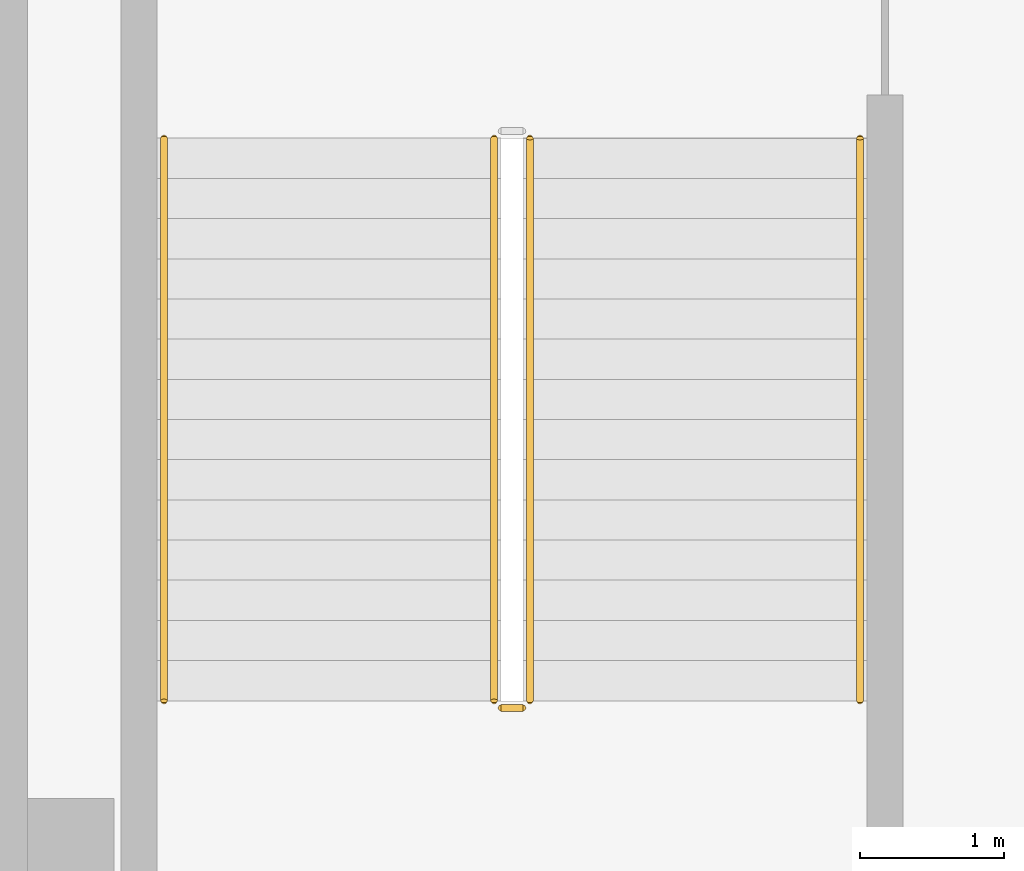
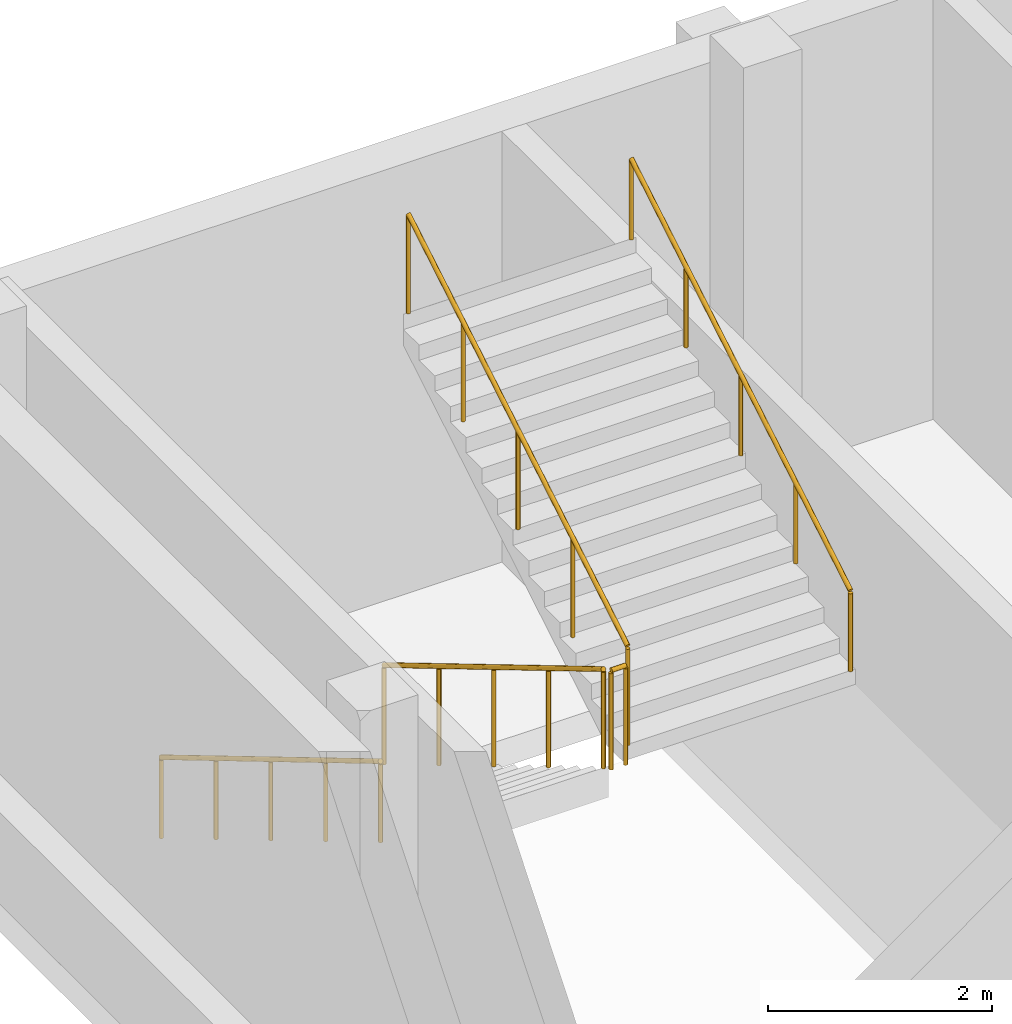
# One storey, part 29 of 32: 5 railings.
"""IFC4 building model written with IfcOpenShell, lengths in metres."""

import ifcopenshell
import ifcopenshell.guid

model = None  # the IFC model being written
_history = None  # IfcOwnerHistory: only IFC2X3 demands one
_inside = {}  # id of a spatial element -> (the spatial element, [elements in it])
_under = {}  # id of a project, library or spatial element -> (it, [spatial elements below it])
_declared = {}  # id of a project -> (the project, [libraries it declares])
_typed = {}  # id of a type object -> (the type object, [elements of that type])
_made_of = {}  # id of a material, layer set ... -> (it, [elements and type objects made of it])


def new_model(schema):
    """Start an empty IFC model of exactly this schema.

    Asked for "IFC4X3", IfcOpenShell would pick the latest addendum, in which some entities
    have other attributes; the version numbers below select the first issue.
    IFC2X3 requires an IfcOwnerHistory on every rooted entity: one is made here for all.
    """
    global model, _history
    if schema == "IFC4X3":
        model = ifcopenshell.file(schema_version=(4, 3, 0, 0))
    else:
        model = ifcopenshell.file(schema=schema)
    _inside.clear()
    _under.clear()
    _declared.clear()
    _typed.clear()
    _made_of.clear()
    _history = None
    if model.schema == "IFC2X3":
        org = make("IfcOrganization", Name="unknown")
        user = make(
            "IfcPersonAndOrganization",
            ThePerson=make("IfcPerson", FamilyName="unknown"),
            TheOrganization=org,
        )
        app = make(
            "IfcApplication",
            ApplicationDeveloper=org,
            Version="unknown",
            ApplicationFullName="unknown",
            ApplicationIdentifier="unknown",
        )
        _history = make(
            "IfcOwnerHistory",
            OwningUser=user,
            OwningApplication=app,
            ChangeAction="ADDED",
            CreationDate=0,
        )
    return model


def make(cls, **values):
    """One entity of the class cls with the attributes given. An attribute that is None is left unset."""
    return model.create_entity(
        cls, **{name: value for name, value in values.items() if value is not None}
    )


def rooted(cls, **values):
    """An entity with a GlobalId (a new one), such as an element, a storey or a relation."""
    return make(cls, GlobalId=ifcopenshell.guid.new(), OwnerHistory=_history, **values)


def si_unit(unit_type, name, prefix=None):
    """IfcSIUnit, for example si_unit("LENGTHUNIT", "METRE", prefix="MILLI")."""
    return make("IfcSIUnit", UnitType=unit_type, Prefix=prefix, Name=name)


def assignment(units):
    """IfcUnitAssignment: the units of a project."""
    return None if units is None else make("IfcUnitAssignment", Units=units)


def point(xyz):
    """IfcCartesianPoint."""
    return None if xyz is None else make("IfcCartesianPoint", Coordinates=xyz)


def direction(xyz):
    """IfcDirection."""
    return None if xyz is None else make("IfcDirection", DirectionRatios=xyz)


def frame(location, z_axis=None, x_axis=None):
    """IfcAxis2Placement3D, a coordinate frame: its origin and axes. An axis left out is left unset."""
    return make(
        "IfcAxis2Placement3D",
        Location=point(location),
        Axis=direction(z_axis),
        RefDirection=direction(x_axis),
    )


def frame_2d(location, x_axis=None):
    """IfcAxis2Placement2D, a coordinate frame in the plane: its origin and x axis."""
    return make(
        "IfcAxis2Placement2D", Location=point(location), RefDirection=direction(x_axis)
    )


def origin():
    """The frame at (0, 0, 0) with its axes left unset."""
    return frame((0.0, 0.0, 0.0))


def origin_2d():
    """The frame at (0, 0) in the plane with its x axis left unset."""
    return frame_2d((0.0, 0.0))


def place(relative_to, where):
    """IfcLocalPlacement: puts the frame where relative to a parent placement (None: the world)."""
    return make(
        "IfcLocalPlacement", PlacementRelTo=relative_to, RelativePlacement=where
    )


def context(
    kind, dimensions, precision=None, world=None, true_north=None, identifier=None
):
    """IfcGeometricRepresentationContext, for example the 3D "Model" context."""
    return make(
        "IfcGeometricRepresentationContext",
        ContextIdentifier=identifier,
        ContextType=kind,
        CoordinateSpaceDimension=dimensions,
        Precision=precision,
        WorldCoordinateSystem=world,
        TrueNorth=true_north,
    )


def subcontext(parent, identifier, kind, view, scale=None):
    """IfcGeometricRepresentationSubContext, for example "Body" below "Model"."""
    return make(
        "IfcGeometricRepresentationSubContext",
        ContextIdentifier=identifier,
        ContextType=kind,
        ParentContext=parent,
        TargetScale=scale,
        TargetView=view,
    )


def project(units=None, contexts=None):
    """IfcProject with its units and contexts."""
    return rooted(
        "IfcProject",
        Name="project",
        RepresentationContexts=contexts,
        UnitsInContext=assignment(units),
    )


def spatial(cls, under=None, at=None, **own):
    """A site, building, storey or space (cls), placed at a placement, below another one or the project."""
    s = rooted(cls, ObjectPlacement=at, **own)
    if under is not None:
        _under.setdefault(under.id(), (under, []))[1].append(s)
    return s


def profile(cls, at=None, kind="AREA", **sizes):
    """A parametric profile (cls). Its sizes go by their IFC names, for example OverallWidth=200.0."""
    return make(cls, ProfileType=kind, Position=at, **sizes)


def circle(**sizes):
    """IfcCircleProfileDef."""
    return profile("IfcCircleProfileDef", **sizes)


def extrude(swept, where, along, depth):
    """IfcExtrudedAreaSolid: the profile swept, set in the frame where, extruded along a direction by depth."""
    return make(
        "IfcExtrudedAreaSolid",
        SweptArea=swept,
        Position=where,
        ExtrudedDirection=direction(along),
        Depth=depth,
    )


def shape(context_of_items, identifier, shape_type, items):
    """IfcShapeRepresentation: the items that make up one representation, for example the "Body"."""
    return make(
        "IfcShapeRepresentation",
        ContextOfItems=context_of_items,
        RepresentationIdentifier=identifier,
        RepresentationType=shape_type,
        Items=items,
    )


def material(Name=None, Category=None):
    """IfcMaterial."""
    return make("IfcMaterial", Name=Name, Category=Category)


def made_of(thing, what):
    """Note that an element or type object is made of a material, layer set ...; save() writes the relation."""
    if what is not None:
        _made_of.setdefault(what.id(), (what, []))[1].append(thing)
    return thing


def type_object(cls, material=None, **own):
    """A type object (cls), such as IfcWallType, which elements share."""
    return made_of(rooted(cls, **own), material)


def element(
    cls,
    number,
    at=None,
    inside=None,
    cuts=None,
    type_object=None,
    material=None,
    context=None,
    identifier="Body",
    shape_type=None,
    held_by="IfcProductDefinitionShape",
    body=None,
    shapes=None,
    **own,
):
    """One element of the class cls, such as IfcWall. Its Tag is "e" and its number.

    at: its placement. inside: the storey or other place that contains it. cuts: it is an
    opening in that element (IfcRelVoidsElement). A single representation is given by context,
    identifier, shape_type and body (its items); several are given by shapes. held_by: the class
    of the entity that holds the representations. save() writes the other relations.
    """
    e = rooted(cls, Tag="e%d" % number, ObjectPlacement=at, **own)
    if body is not None:
        shapes = [shape(context, identifier, shape_type, body)]
    if shapes is not None:
        e.Representation = make(held_by, Representations=shapes)
    if inside is not None:
        _inside.setdefault(inside.id(), (inside, []))[1].append(e)
    if cuts is not None:
        rooted(
            "IfcRelVoidsElement", RelatingBuildingElement=cuts, RelatedOpeningElement=e
        )
    if type_object is not None:
        _typed.setdefault(type_object.id(), (type_object, []))[1].append(e)
    return made_of(e, material)


def aggregate(whole, parts):
    """IfcRelAggregates: a whole, such as a stair, and the parts it consists of."""
    return rooted("IfcRelAggregates", RelatingObject=whole, RelatedObjects=parts)


def save(model, path):
    """Write the relations noted so far, then the file.

    IfcRelAggregates (storeys below a building ...), IfcRelContainedInSpatialStructure (elements
    in a storey), IfcRelDefinesByType, IfcRelAssociatesMaterial and IfcRelDeclares: one each for
    every whole, place, type object, material and project.
    """
    for whole, parts in _under.values():
        aggregate(whole, parts)
    for where, things in _inside.values():
        rooted(
            "IfcRelContainedInSpatialStructure",
            RelatedElements=things,
            RelatingStructure=where,
        )
    for kind, things in _typed.values():
        rooted("IfcRelDefinesByType", RelatedObjects=things, RelatingType=kind)
    for what, things in _made_of.values():
        rooted("IfcRelAssociatesMaterial", RelatedObjects=things, RelatingMaterial=what)
    for by, libraries in _declared.values():
        rooted("IfcRelDeclares", RelatingContext=by, RelatedDefinitions=libraries)
    model.write(path)


model = new_model("IFC4")

# Units and contexts
model_context = context("Model", 3, precision=1e-05, world=origin(), true_north=direction((0.0, 1.0)))
body_context = subcontext(model_context, "Body", "Model", "MODEL_VIEW")
ifc_project = project(units=[si_unit("LENGTHUNIT", "METRE"), si_unit("AREAUNIT", "SQUARE_METRE"), si_unit("VOLUMEUNIT", "CUBIC_METRE"), si_unit("PLANEANGLEUNIT", "RADIAN"), si_unit("MASSUNIT", "GRAM", prefix="KILO")], contexts=[model_context])

# Site, building, storey
site_placement = place(None, origin())
site = spatial("IfcSite", under=ifc_project, at=site_placement, CompositionType="ELEMENT")
building_placement = place(site_placement, origin())
building = spatial("IfcBuilding", under=site, at=building_placement, Name="Tamorin Gate", CompositionType="ELEMENT")
storey_placement = place(building_placement, frame((0.0, 0.0, 18.5)))
storey = spatial("IfcBuildingStorey", under=building, at=storey_placement, Name="L03", CompositionType="ELEMENT", Elevation=18.5)

# Railings
ifc_material = material(Name="Steel, galvanised", Category="steel")
railing_type_1 = type_object("IfcRailingType", Name="Steel guard 1100 museum", PredefinedType="GUARDRAIL", material=ifc_material)
railing_1_placement = place(storey_placement, frame((148.64990234375, 95.60009765625, 0.166748046875)))
element("IfcRailing", 1, at=railing_1_placement, inside=storey, type_object=railing_type_1, Name="L03 PS6 stair guard 1", PredefinedType="GUARDRAIL", context=body_context, shape_type="SweptSolid", body=[
    extrude(circle(Radius=0.02392578125, at=origin_2d()), frame((0.0, 0.0, 1.076171875), z_axis=(0.0, -0.859310244771, 0.511454693235), x_axis=(1.0, 0.0, 0.0)), (0.0, 0.0, 1.0), 4.56201171875),
    extrude(circle(Radius=0.02099609375, at=origin_2d()), origin(), (0.0, 0.0, 1.0), 1.052001953125),
    extrude(circle(Radius=0.02099609375, at=origin_2d()), frame((0.0, -0.97998046875, 0.583251953125)), (0.0, 0.0, 1.0), 1.052001953125),
    extrude(circle(Radius=0.02099609375, at=origin_2d()), frame((0.0, -1.9599609375, 1.16650390625)), (0.0, 0.0, 1.0), 1.052001953125),
    extrude(circle(Radius=0.02099609375, at=origin_2d()), frame((0.0, -2.940185546875, 1.75)), (0.0, 0.0, 1.0), 1.052001953125),
    extrude(circle(Radius=0.02099609375, at=origin_2d()), frame((0.0, -3.920166015625, 2.333251953125)), (0.0, 0.0, 1.0), 1.052001953125),
])
railing_2_placement = place(storey_placement, frame((148.699951171875, 91.6298828125, 2.5)))
element("IfcRailing", 2, at=railing_2_placement, inside=storey, type_object=railing_type_1, Name="L03 PS6 stair guard 2", PredefinedType="GUARDRAIL", context=body_context, shape_type="SweptSolid", body=[
    extrude(circle(Radius=0.02392578125, at=origin_2d()), frame((0.0, 0.0, 1.076171875), z_axis=(1.0, 0.0, 0.0), x_axis=(0.0, 1.0, 0.0)), (0.0, 0.0, 1.0), 0.150146484375),
    extrude(circle(Radius=0.02099609375, at=origin_2d()), origin(), (0.0, 0.0, 1.0), 1.052001953125),
    extrude(circle(Radius=0.02099609375, at=origin_2d()), frame((0.150146484375, 0.0, 0.0)), (0.0, 0.0, 1.0), 1.052001953125),
])
railing_3_placement = place(storey_placement, frame((148.89990234375, 91.679931640625, 2.666748046875)))
element("IfcRailing", 3, at=railing_3_placement, inside=storey, type_object=railing_type_1, Name="L03 PS6 stair guard 3", PredefinedType="GUARDRAIL", context=body_context, shape_type="SweptSolid", body=[
    extrude(circle(Radius=0.02392578125, at=origin_2d()), frame((0.0, 0.0, 1.076171875), z_axis=(0.0, 0.859310244771, 0.511454693235), x_axis=(-1.0, 0.0, 0.0)), (0.0, 0.0, 1.0), 4.56201171875),
    extrude(circle(Radius=0.02099609375, at=origin_2d()), origin(), (0.0, 0.0, 1.0), 1.052001953125),
    extrude(circle(Radius=0.02099609375, at=origin_2d()), frame((0.0, 0.97998046875, 0.583251953125)), (0.0, 0.0, 1.0), 1.052001953125),
    extrude(circle(Radius=0.02099609375, at=origin_2d()), frame((0.0, 1.9599609375, 1.16650390625)), (0.0, 0.0, 1.0), 1.052001953125),
    extrude(circle(Radius=0.02099609375, at=origin_2d()), frame((0.0, 2.940185546875, 1.75)), (0.0, 0.0, 1.0), 1.052001953125),
    extrude(circle(Radius=0.02099609375, at=origin_2d()), frame((0.0, 3.920166015625, 2.333251953125)), (0.0, 0.0, 1.0), 1.052001953125),
])
railing_type_2 = type_object("IfcRailingType", Name="Steel handrail 900 museum", PredefinedType="HANDRAIL", material=ifc_material)
railing_4_placement = place(storey_placement, frame((146.35009765625, 95.60009765625, 0.166748046875)))
element("IfcRailing", 4, at=railing_4_placement, inside=storey, type_object=railing_type_2, Name="L03 PS6 stair handrail 1", PredefinedType="HANDRAIL", context=body_context, shape_type="SweptSolid", body=[
    extrude(circle(Radius=0.02392578125, at=origin_2d()), frame((0.0, 0.0, 0.8759765625), z_axis=(0.0, -0.859310244771, 0.511454693235), x_axis=(1.0, 0.0, 0.0)), (0.0, 0.0, 1.0), 4.56201171875),
    extrude(circle(Radius=0.02099609375, at=origin_2d()), origin(), (0.0, 0.0, 1.0), 0.851806640625),
    extrude(circle(Radius=0.02099609375, at=origin_2d()), frame((0.0, -0.97998046875, 0.583251953125)), (0.0, 0.0, 1.0), 0.851806640625),
    extrude(circle(Radius=0.02099609375, at=origin_2d()), frame((0.0, -1.9599609375, 1.16650390625)), (0.0, 0.0, 1.0), 0.851806640625),
    extrude(circle(Radius=0.02099609375, at=origin_2d()), frame((0.0, -2.940185546875, 1.75)), (0.0, 0.0, 1.0), 0.851806640625),
    extrude(circle(Radius=0.02099609375, at=origin_2d()), frame((0.0, -3.920166015625, 2.333251953125)), (0.0, 0.0, 1.0), 0.851806640625),
])
railing_5_placement = place(storey_placement, frame((151.199951171875, 91.679931640625, 2.666748046875)))
element("IfcRailing", 5, at=railing_5_placement, inside=storey, type_object=railing_type_2, Name="L03 PS6 stair handrail 2", PredefinedType="HANDRAIL", context=body_context, shape_type="SweptSolid", body=[
    extrude(circle(Radius=0.02392578125, at=origin_2d()), frame((0.0, 0.0, 0.8759765625), z_axis=(0.0, 0.859310244771, 0.511454693235), x_axis=(-1.0, 0.0, 0.0)), (0.0, 0.0, 1.0), 4.56201171875),
    extrude(circle(Radius=0.02099609375, at=origin_2d()), origin(), (0.0, 0.0, 1.0), 0.851806640625),
    extrude(circle(Radius=0.02099609375, at=origin_2d()), frame((0.0, 0.97998046875, 0.583251953125)), (0.0, 0.0, 1.0), 0.851806640625),
    extrude(circle(Radius=0.02099609375, at=origin_2d()), frame((0.0, 1.9599609375, 1.16650390625)), (0.0, 0.0, 1.0), 0.851806640625),
    extrude(circle(Radius=0.02099609375, at=origin_2d()), frame((0.0, 2.940185546875, 1.75)), (0.0, 0.0, 1.0), 0.851806640625),
    extrude(circle(Radius=0.02099609375, at=origin_2d()), frame((0.0, 3.920166015625, 2.333251953125)), (0.0, 0.0, 1.0), 0.851806640625),
])

save(model, "model.ifc")
